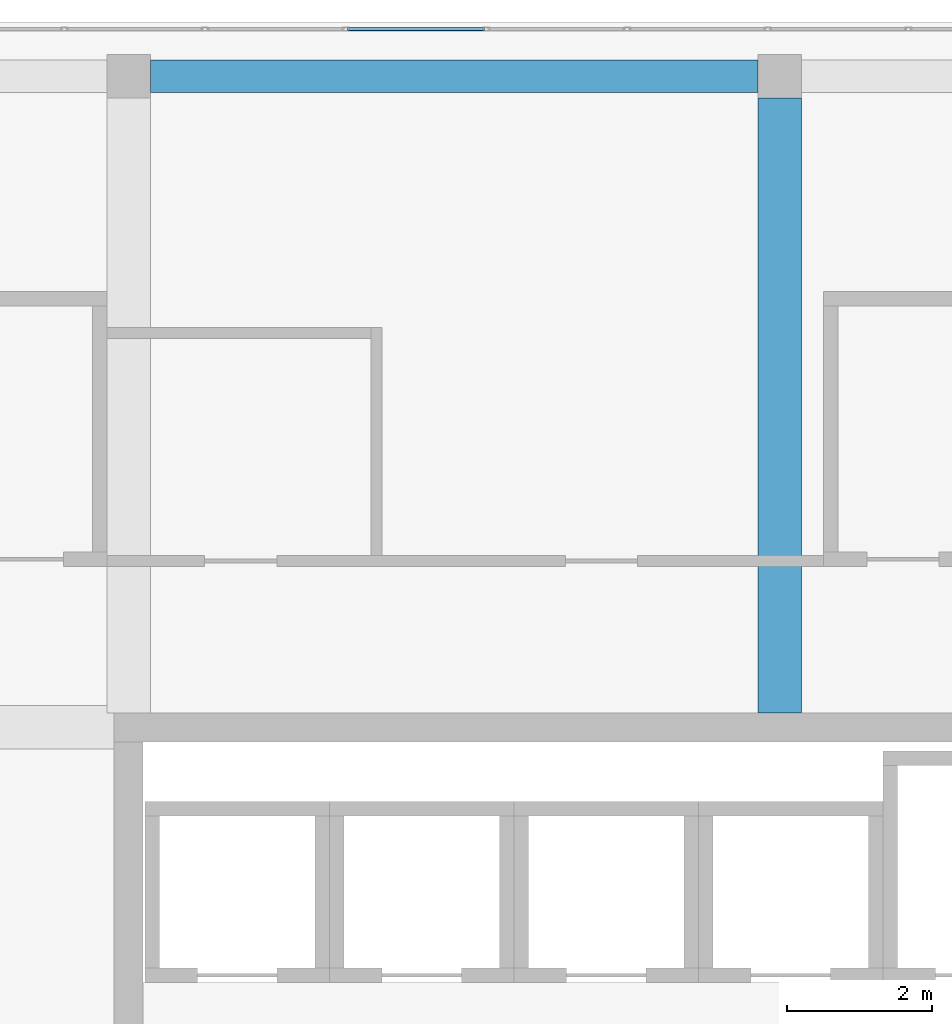
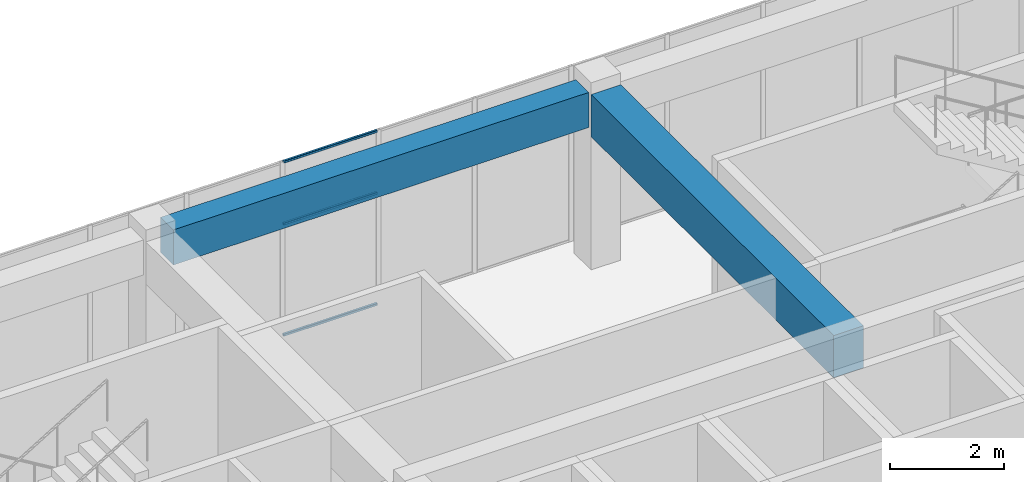
# One storey, part 22 of 32: 3 members, 2 beams, 1 element without a shape of its own.
"""IFC4 building model written with IfcOpenShell, lengths in metres."""

from ifc_helpers import new_model, si_unit, direction, frame, origin, origin_2d, place, context, subcontext, project, spatial, rectangle, hollow_rectangle, extrude, material, layer, layer_set, material_profile, profile_set, type_object, element, aggregate, save


model = new_model("IFC4")

# Units and contexts
model_context = context("Model", 3, precision=1e-05, world=origin(), true_north=direction((0.0, 1.0)))
body_context = subcontext(model_context, "Body", "Model", "MODEL_VIEW")
ifc_project = project(units=[si_unit("LENGTHUNIT", "METRE"), si_unit("AREAUNIT", "SQUARE_METRE"), si_unit("VOLUMEUNIT", "CUBIC_METRE"), si_unit("PLANEANGLEUNIT", "RADIAN"), si_unit("MASSUNIT", "GRAM", prefix="KILO")], contexts=[model_context])

# Site, building, storey
site_placement = place(None, origin())
site = spatial("IfcSite", under=ifc_project, at=site_placement, CompositionType="ELEMENT")
building_placement = place(site_placement, origin())
building = spatial("IfcBuilding", under=site, at=building_placement, Name="Tuart Plaza Theatre", CompositionType="ELEMENT")
storey_placement = place(building_placement, frame((0.0, 0.0, 41.5)))
storey = spatial("IfcBuildingStorey", under=building, at=storey_placement, Name="L10", CompositionType="ELEMENT", Elevation=41.5)

# Beams
ifc_material_1 = material(Name="Concrete N40 (40 MPa)", Category="concrete")
ifc_material_profile_1 = material_profile(ifc_material_1, rectangle(XDim=0.449951171875, YDim=0.75, at=origin_2d()), Name="BEAM 450x750 Concrete N40 (40 MPa)")
ifc_profile_set_1 = profile_set([ifc_material_profile_1], Name="Concrete N40 (40 MPa)")
beam_type_1 = type_object("IfcBeamType", Name="BEAM 450x750 Concrete N40 (40 MPa)", PredefinedType="BEAM", material=ifc_profile_set_1)
beam_1_placement = place(storey_placement, frame((123.300048828125, 92.0, 3.375), z_axis=(1.0, 0.0, 0.0), x_axis=(0.0, 1.0, 0.0)))
element("IfcBeam", 1, at=beam_1_placement, inside=storey, type_object=beam_type_1, Name="RB299", PredefinedType="BEAM", context=body_context, shape_type="SweptSolid", body=[
    extrude(rectangle(XDim=0.449951171875, YDim=0.75, at=origin_2d()), origin(), (0.0, 0.0, 1.0), 8.39990234375),
])
ifc_material_2 = material(Name="Concrete N40 (40 MPa)", Category="concrete")
ifc_material_profile_2 = material_profile(ifc_material_2, rectangle(XDim=0.60009765625, YDim=0.89990234375, at=origin_2d()), Name="BEAM 600x900 Concrete N40 (40 MPa)")
ifc_profile_set_2 = profile_set([ifc_material_profile_2], Name="Concrete N40 (40 MPa)")
beam_type_2 = type_object("IfcBeamType", Name="BEAM 600x900 Concrete N40 (40 MPa)", PredefinedType="BEAM", material=ifc_profile_set_2)
beam_2_placement = place(storey_placement, frame((132.0, 83.199951171875, 3.300048828125), z_axis=(0.0, 1.0, 0.0), x_axis=(-1.0, 0.0, 0.0)))
element("IfcBeam", 2, at=beam_2_placement, inside=storey, type_object=beam_type_2, Name="RB302", PredefinedType="BEAM", context=body_context, shape_type="SweptSolid", body=[
    extrude(rectangle(XDim=0.60009765625, YDim=0.89990234375, at=origin_2d()), origin(), (0.0, 0.0, 1.0), 8.5),
])

# Curtain wall, members
ifc_material_3 = material(Name="Aluminium and glass", Category="aluminium")
ifc_layer = layer(ifc_material_3, 0.10009765625)
ifc_layer_set = layer_set([ifc_layer], Name="CURTAIN WALL 2000 module")
curtain_wall_type = type_object("IfcCurtainWallType", Name="CURTAIN WALL 2000 module", PredefinedType="NOTDEFINED", material=ifc_layer_set)
curtain_wall_placement = place(storey_placement, origin())
curtain_wall = element("IfcCurtainWall", 3, at=curtain_wall_placement, inside=storey, type_object=curtain_wall_type, Name="CW105", PredefinedType="NOTDEFINED")
ifc_material_4 = material(Name="Aluminium 6063-T5", Category="aluminium")
ifc_material_profile_3 = material_profile(ifc_material_4, hollow_rectangle(XDim=0.050048828125, YDim=0.050048828125, WallThickness=0.00390625, InnerFilletRadius=0.00390625, OuterFilletRadius=0.008056640625, at=origin_2d()), Name="RHS 50x50x4")
ifc_profile_set_3 = profile_set([ifc_material_profile_3], Name="Aluminium 6063-T5")
member_type = type_object("IfcMemberType", Name="TRANSOM RHS 50x50x4", PredefinedType="USERDEFINED", material=ifc_profile_set_3)
member_1_placement = place(storey_placement, frame((127.918701171875, 92.64990234375, 0.02490234375), z_axis=(-1.0, 0.0, 0.0), x_axis=(0.0, -1.0, 0.0)))
member_1 = element("IfcMember", 4, at=member_1_placement, type_object=member_type, Name="CW105 transom 8.1", ObjectType="TRANSOM", PredefinedType="USERDEFINED", context=body_context, shape_type="SweptSolid", body=[
    extrude(hollow_rectangle(XDim=0.050048828125, YDim=0.050048828125, WallThickness=0.00390625, InnerFilletRadius=0.00390625, OuterFilletRadius=0.008056640625, at=origin_2d()), origin(), (0.0, 0.0, 1.0), 1.893798828125),
])
member_2_placement = place(storey_placement, frame((127.918701171875, 92.64990234375, 2.39990234375), z_axis=(-1.0, 0.0, 0.0), x_axis=(0.0, -1.0, 0.0)))
member_2 = element("IfcMember", 5, at=member_2_placement, type_object=member_type, Name="CW105 transom 8.2", ObjectType="TRANSOM", PredefinedType="USERDEFINED", context=body_context, shape_type="SweptSolid", body=[
    extrude(hollow_rectangle(XDim=0.050048828125, YDim=0.050048828125, WallThickness=0.00390625, InnerFilletRadius=0.00390625, OuterFilletRadius=0.008056640625, at=origin_2d()), origin(), (0.0, 0.0, 1.0), 1.893798828125),
])
member_3_placement = place(storey_placement, frame((127.918701171875, 92.64990234375, 3.72509765625), z_axis=(-1.0, 0.0, 0.0), x_axis=(0.0, -1.0, 0.0)))
member_3 = element("IfcMember", 6, at=member_3_placement, type_object=member_type, Name="CW105 transom 8.3", ObjectType="TRANSOM", PredefinedType="USERDEFINED", context=body_context, shape_type="SweptSolid", body=[
    extrude(hollow_rectangle(XDim=0.050048828125, YDim=0.050048828125, WallThickness=0.00390625, InnerFilletRadius=0.00390625, OuterFilletRadius=0.008056640625, at=origin_2d()), origin(), (0.0, 0.0, 1.0), 1.893798828125),
])
aggregate(curtain_wall, [member_1, member_2, member_3])

save(model, "model.ifc")
